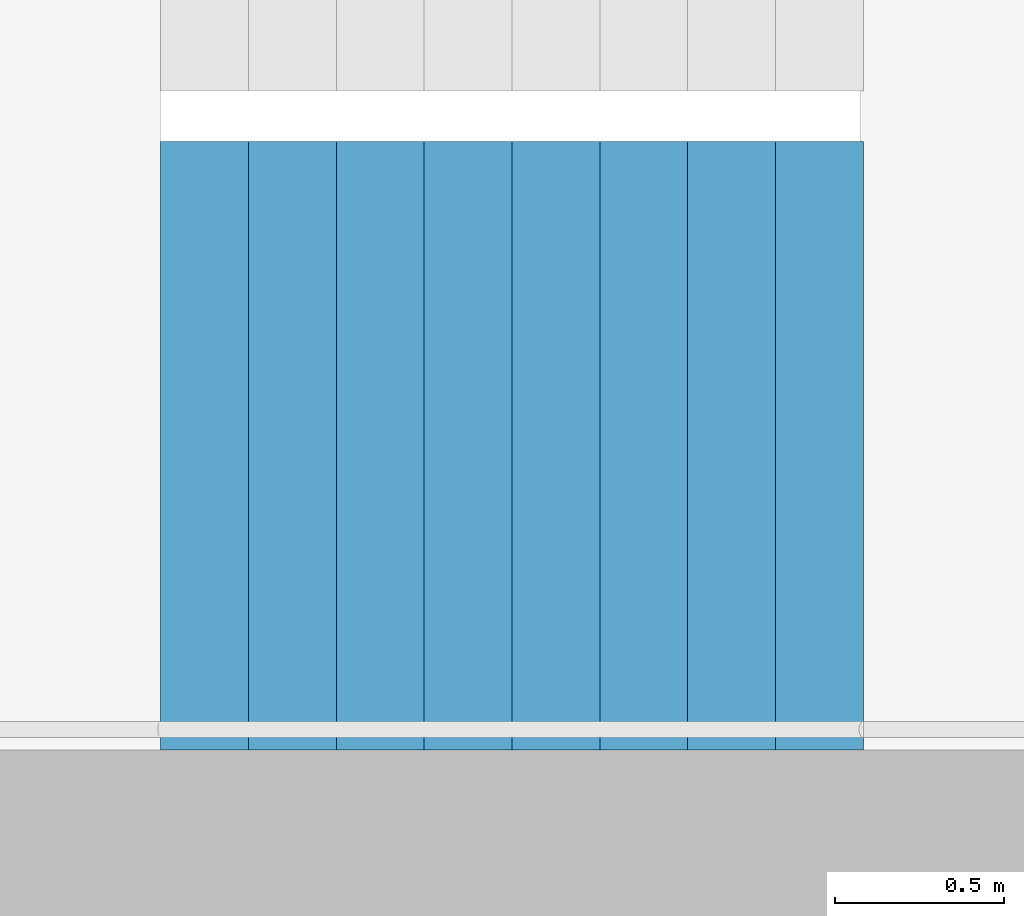
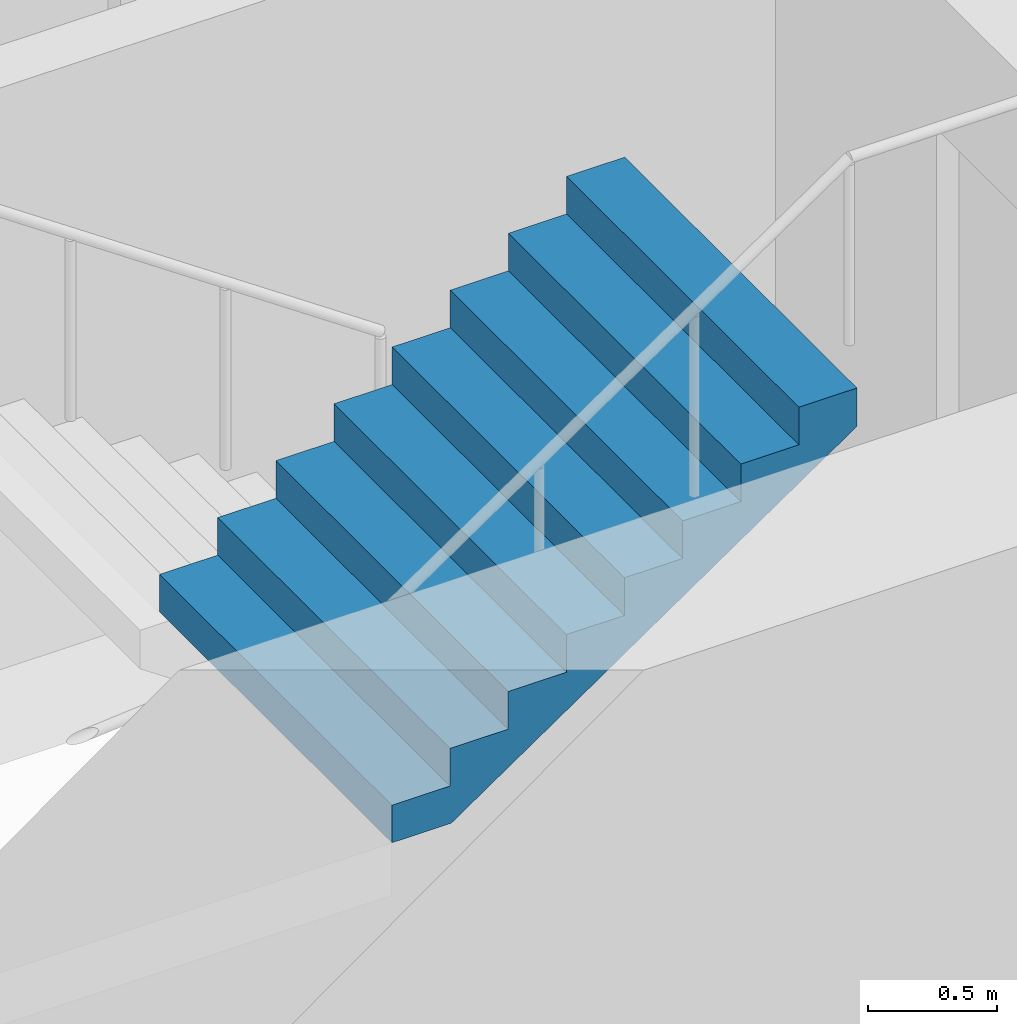
# One storey, part 18 of 26: 1 stair flight, 1 element without a shape of its own.
"""IFC4 building model written with IfcOpenShell, lengths in metres."""

from ifc_helpers import new_model, si_unit, direction, frame, origin, place, context, subcontext, project, spatial, triangles, material, type_object, element, aggregate, save


model = new_model("IFC4")

# Units and contexts
model_context = context("Model", 3, precision=1e-05, world=origin(), true_north=direction((0.0, 1.0)))
body_context = subcontext(model_context, "Body", "Model", "MODEL_VIEW")
ifc_project = project(units=[si_unit("LENGTHUNIT", "METRE"), si_unit("AREAUNIT", "SQUARE_METRE"), si_unit("VOLUMEUNIT", "CUBIC_METRE"), si_unit("PLANEANGLEUNIT", "RADIAN"), si_unit("MASSUNIT", "GRAM", prefix="KILO")], contexts=[model_context])

# Site, building, storey
site_placement = place(None, origin())
site = spatial("IfcSite", under=ifc_project, at=site_placement, CompositionType="ELEMENT")
building_placement = place(site_placement, origin())
building = spatial("IfcBuilding", under=site, at=building_placement, Name="Hakoniwa Tower and Hamabe Station Hall", CompositionType="ELEMENT")
storey_placement = place(building_placement, frame((0.0, 0.0, 134.199951171875)))
storey = spatial("IfcBuildingStorey", under=building, at=storey_placement, Name="L37", CompositionType="ELEMENT", Elevation=134.199951171875)

# Stair, stair flight
ifc_material_1 = material(Name="Concrete C40", Category="concrete")
stair_type = type_object("IfcStairType", Name="ESCAPE STAIR 1800", PredefinedType="HALF_TURN_STAIR", material=ifc_material_1)
stair_placement = place(storey_placement, origin())
stair = element("IfcStair", 1, at=stair_placement, inside=storey, type_object=stair_type, Name="Escape stair ST-2 L37", PredefinedType="HALF_TURN_STAIR")
ifc_material_2 = material(Name="Concrete C40", Category="concrete")
stair_flight_type = type_object("IfcStairFlightType", Name="STAIR FLIGHT 1800", PredefinedType="STRAIGHT", material=ifc_material_2)
stair_flight_placement = place(storey_placement, frame((-25.47998046875, -6.60009765625, 1.60009765625), z_axis=(0.0, 0.0, 1.0), x_axis=(1.0, 0.0, 0.0)))
stair_flight = element("IfcStairFlight", 2, at=stair_flight_placement, type_object=stair_flight_type, Name="ST-2 flight 2", NumberOfRisers=9, NumberOfTreads=8, PredefinedType="STRAIGHT", RiserHeight=0.177777778, TreadLength=0.26, context=body_context, shape_type="Tessellation", body=[
    triangles([(0.0, 0.89990234375, 0.0), (0.260009765625, 0.89990234375, 0.0), (0.265625, 0.89990234375, 0.0), (0.52001953125, 0.89990234375, 0.174072265625), (0.780029296875, 0.89990234375, 0.351806640625), (1.0400390625, 0.89990234375, 0.529541015625), (1.300048828125, 0.89990234375, 0.707275390625), (1.56005859375, 0.89990234375, 0.885009765625), (1.820068359375, 0.89990234375, 1.062744140625), (2.080078125, 0.89990234375, 1.24072265625), (2.080078125, 0.89990234375, 1.422119140625), (1.820068359375, 0.89990234375, 1.422119140625), (1.820068359375, 0.89990234375, 1.244384765625), (1.56005859375, 0.89990234375, 1.244384765625), (1.56005859375, 0.89990234375, 1.066650390625), (1.300048828125, 0.89990234375, 1.066650390625), (1.300048828125, 0.89990234375, 0.888916015625), (1.0400390625, 0.89990234375, 0.888916015625), (1.0400390625, 0.89990234375, 0.711181640625), (0.780029296875, 0.89990234375, 0.711181640625), (0.780029296875, 0.89990234375, 0.533447265625), (0.52001953125, 0.89990234375, 0.533447265625), (0.52001953125, 0.89990234375, 0.35546875), (0.265625, 0.89990234375, 0.35546875), (0.260009765625, 0.89990234375, 0.35546875), (0.260009765625, 0.89990234375, 0.177734375), (0.0, 0.89990234375, 0.177734375), (0.0, 0.06005859375, 0.0), (0.260009765625, 0.06005859375, 0.0), (0.265625, 0.06005859375, 0.0), (0.52001953125, 0.06005859375, 0.174072265625), (0.780029296875, 0.06005859375, 0.351806640625), (1.0400390625, 0.06005859375, 0.529541015625), (1.300048828125, 0.06005859375, 0.707275390625), (1.56005859375, 0.06005859375, 0.885009765625), (1.820068359375, 0.06005859375, 1.062744140625), (2.080078125, 0.06005859375, 1.24072265625), (2.080078125, 0.06005859375, 1.422119140625), (1.820068359375, 0.06005859375, 1.422119140625), (1.820068359375, 0.06005859375, 1.244384765625), (1.56005859375, 0.06005859375, 1.244384765625), (1.56005859375, 0.06005859375, 1.066650390625), (1.300048828125, 0.06005859375, 1.066650390625), (1.300048828125, 0.06005859375, 0.888916015625), (1.0400390625, 0.06005859375, 0.888916015625), (1.0400390625, 0.06005859375, 0.711181640625), (0.780029296875, 0.06005859375, 0.711181640625), (0.780029296875, 0.06005859375, 0.533447265625), (0.52001953125, 0.06005859375, 0.533447265625), (0.52001953125, 0.06005859375, 0.35546875), (0.265625, 0.06005859375, 0.35546875), (0.260009765625, 0.06005859375, 0.35546875), (0.260009765625, 0.06005859375, 0.177734375), (0.0, 0.06005859375, 0.177734375), (0.0, 0.04296875, 0.0), (0.260009765625, 0.04296875, 0.0), (0.265625, 0.04296875, 0.0), (0.52001953125, 0.04296875, 0.174072265625), (0.780029296875, 0.04296875, 0.351806640625), (1.0400390625, 0.04296875, 0.529541015625), (1.300048828125, 0.04296875, 0.707275390625), (1.56005859375, 0.04296875, 0.885009765625), (1.820068359375, 0.04296875, 1.062744140625), (2.080078125, 0.04296875, 1.24072265625), (2.080078125, 0.04296875, 1.422119140625), (1.820068359375, 0.04296875, 1.422119140625), (1.820068359375, 0.04296875, 1.244384765625), (1.56005859375, 0.04296875, 1.244384765625), (1.56005859375, 0.04296875, 1.066650390625), (1.300048828125, 0.04296875, 1.066650390625), (1.300048828125, 0.04296875, 0.888916015625), (1.0400390625, 0.04296875, 0.888916015625), (1.0400390625, 0.04296875, 0.711181640625), (0.780029296875, 0.04296875, 0.711181640625), (0.780029296875, 0.04296875, 0.533447265625), (0.52001953125, 0.04296875, 0.533447265625), (0.52001953125, 0.04296875, 0.35546875), (0.265625, 0.04296875, 0.35546875), (0.260009765625, 0.04296875, 0.35546875), (0.260009765625, 0.04296875, 0.177734375), (0.0, 0.04296875, 0.177734375), (0.0, 0.025634765625, 0.0), (0.260009765625, 0.025634765625, 0.0), (0.265625, 0.025634765625, 0.0), (0.52001953125, 0.025634765625, 0.174072265625), (0.780029296875, 0.025634765625, 0.351806640625), (1.0400390625, 0.025634765625, 0.529541015625), (1.300048828125, 0.025634765625, 0.707275390625), (1.56005859375, 0.025634765625, 0.885009765625), (1.820068359375, 0.025634765625, 1.062744140625), (2.080078125, 0.025634765625, 1.24072265625), (2.080078125, 0.025634765625, 1.422119140625), (1.820068359375, 0.025634765625, 1.422119140625), (1.820068359375, 0.025634765625, 1.244384765625), (1.56005859375, 0.025634765625, 1.244384765625), (1.56005859375, 0.025634765625, 1.066650390625), (1.300048828125, 0.025634765625, 1.066650390625), (1.300048828125, 0.025634765625, 0.888916015625), (1.0400390625, 0.025634765625, 0.888916015625), (1.0400390625, 0.025634765625, 0.711181640625), (0.780029296875, 0.025634765625, 0.711181640625), (0.780029296875, 0.025634765625, 0.533447265625), (0.52001953125, 0.025634765625, 0.533447265625), (0.52001953125, 0.025634765625, 0.35546875), (0.265625, 0.025634765625, 0.35546875), (0.260009765625, 0.025634765625, 0.35546875), (0.260009765625, 0.025634765625, 0.177734375), (0.0, 0.025634765625, 0.177734375), (0.0, 0.008544921875, 0.0), (0.260009765625, 0.008544921875, 0.0), (0.265625, 0.008544921875, 0.0), (0.52001953125, 0.008544921875, 0.174072265625), (0.780029296875, 0.008544921875, 0.351806640625), (1.0400390625, 0.008544921875, 0.529541015625), (1.300048828125, 0.008544921875, 0.707275390625), (1.56005859375, 0.008544921875, 0.885009765625), (1.820068359375, 0.008544921875, 1.062744140625), (2.080078125, 0.008544921875, 1.24072265625), (2.080078125, 0.008544921875, 1.422119140625), (1.820068359375, 0.008544921875, 1.422119140625), (1.820068359375, 0.008544921875, 1.244384765625), (1.56005859375, 0.008544921875, 1.244384765625), (1.56005859375, 0.008544921875, 1.066650390625), (1.300048828125, 0.008544921875, 1.066650390625), (1.300048828125, 0.008544921875, 0.888916015625), (1.0400390625, 0.008544921875, 0.888916015625), (1.0400390625, 0.008544921875, 0.711181640625), (0.780029296875, 0.008544921875, 0.711181640625), (0.780029296875, 0.008544921875, 0.533447265625), (0.52001953125, 0.008544921875, 0.533447265625), (0.52001953125, 0.008544921875, 0.35546875), (0.265625, 0.008544921875, 0.35546875), (0.260009765625, 0.008544921875, 0.35546875), (0.260009765625, 0.008544921875, 0.177734375), (0.0, 0.008544921875, 0.177734375), (0.0, -0.008544921875, 0.0), (0.260009765625, -0.008544921875, 0.0), (0.265625, -0.008544921875, 0.0), (0.52001953125, -0.008544921875, 0.174072265625), (0.780029296875, -0.008544921875, 0.351806640625), (1.0400390625, -0.008544921875, 0.529541015625), (1.300048828125, -0.008544921875, 0.707275390625), (1.56005859375, -0.008544921875, 0.885009765625), (1.820068359375, -0.008544921875, 1.062744140625), (2.080078125, -0.008544921875, 1.24072265625), (2.080078125, -0.008544921875, 1.422119140625), (1.820068359375, -0.008544921875, 1.422119140625), (1.820068359375, -0.008544921875, 1.244384765625), (1.56005859375, -0.008544921875, 1.244384765625), (1.56005859375, -0.008544921875, 1.066650390625), (1.300048828125, -0.008544921875, 1.066650390625), (1.300048828125, -0.008544921875, 0.888916015625), (1.0400390625, -0.008544921875, 0.888916015625), (1.0400390625, -0.008544921875, 0.711181640625), (0.780029296875, -0.008544921875, 0.711181640625), (0.780029296875, -0.008544921875, 0.533447265625), (0.52001953125, -0.008544921875, 0.533447265625), (0.52001953125, -0.008544921875, 0.35546875), (0.265625, -0.008544921875, 0.35546875), (0.260009765625, -0.008544921875, 0.35546875), (0.260009765625, -0.008544921875, 0.177734375), (0.0, -0.008544921875, 0.177734375), (0.0, -0.025634765625, 0.0), (0.260009765625, -0.025634765625, 0.0), (0.265625, -0.025634765625, 0.0), (0.52001953125, -0.025634765625, 0.174072265625), (0.780029296875, -0.025634765625, 0.351806640625), (1.0400390625, -0.025634765625, 0.529541015625), (1.300048828125, -0.025634765625, 0.707275390625), (1.56005859375, -0.025634765625, 0.885009765625), (1.820068359375, -0.025634765625, 1.062744140625), (2.080078125, -0.025634765625, 1.24072265625), (2.080078125, -0.025634765625, 1.422119140625), (1.820068359375, -0.025634765625, 1.422119140625), (1.820068359375, -0.025634765625, 1.244384765625), (1.56005859375, -0.025634765625, 1.244384765625), (1.56005859375, -0.025634765625, 1.066650390625), (1.300048828125, -0.025634765625, 1.066650390625), (1.300048828125, -0.025634765625, 0.888916015625), (1.0400390625, -0.025634765625, 0.888916015625), (1.0400390625, -0.025634765625, 0.711181640625), (0.780029296875, -0.025634765625, 0.711181640625), (0.780029296875, -0.025634765625, 0.533447265625), (0.52001953125, -0.025634765625, 0.533447265625), (0.52001953125, -0.025634765625, 0.35546875), (0.265625, -0.025634765625, 0.35546875), (0.260009765625, -0.025634765625, 0.35546875), (0.260009765625, -0.025634765625, 0.177734375), (0.0, -0.025634765625, 0.177734375), (0.0, -0.04296875, 0.0), (0.260009765625, -0.04296875, 0.0), (0.265625, -0.04296875, 0.0), (0.52001953125, -0.04296875, 0.174072265625), (0.780029296875, -0.04296875, 0.351806640625), (1.0400390625, -0.04296875, 0.529541015625), (1.300048828125, -0.04296875, 0.707275390625), (1.56005859375, -0.04296875, 0.885009765625), (1.820068359375, -0.04296875, 1.062744140625), (2.080078125, -0.04296875, 1.24072265625), (2.080078125, -0.04296875, 1.422119140625), (1.820068359375, -0.04296875, 1.422119140625), (1.820068359375, -0.04296875, 1.244384765625), (1.56005859375, -0.04296875, 1.244384765625), (1.56005859375, -0.04296875, 1.066650390625), (1.300048828125, -0.04296875, 1.066650390625), (1.300048828125, -0.04296875, 0.888916015625), (1.0400390625, -0.04296875, 0.888916015625), (1.0400390625, -0.04296875, 0.711181640625), (0.780029296875, -0.04296875, 0.711181640625), (0.780029296875, -0.04296875, 0.533447265625), (0.52001953125, -0.04296875, 0.533447265625), (0.52001953125, -0.04296875, 0.35546875), (0.265625, -0.04296875, 0.35546875), (0.260009765625, -0.04296875, 0.35546875), (0.260009765625, -0.04296875, 0.177734375), (0.0, -0.04296875, 0.177734375), (0.0, -0.06005859375, 0.0), (0.260009765625, -0.06005859375, 0.0), (0.265625, -0.06005859375, 0.0), (0.52001953125, -0.06005859375, 0.174072265625), (0.780029296875, -0.06005859375, 0.351806640625), (1.0400390625, -0.06005859375, 0.529541015625), (1.300048828125, -0.06005859375, 0.707275390625), (1.56005859375, -0.06005859375, 0.885009765625), (1.820068359375, -0.06005859375, 1.062744140625), (2.080078125, -0.06005859375, 1.24072265625), (2.080078125, -0.06005859375, 1.422119140625), (1.820068359375, -0.06005859375, 1.422119140625), (1.820068359375, -0.06005859375, 1.244384765625), (1.56005859375, -0.06005859375, 1.244384765625), (1.56005859375, -0.06005859375, 1.066650390625), (1.300048828125, -0.06005859375, 1.066650390625), (1.300048828125, -0.06005859375, 0.888916015625), (1.0400390625, -0.06005859375, 0.888916015625), (1.0400390625, -0.06005859375, 0.711181640625), (0.780029296875, -0.06005859375, 0.711181640625), (0.780029296875, -0.06005859375, 0.533447265625), (0.52001953125, -0.06005859375, 0.533447265625), (0.52001953125, -0.06005859375, 0.35546875), (0.265625, -0.06005859375, 0.35546875), (0.260009765625, -0.06005859375, 0.35546875), (0.260009765625, -0.06005859375, 0.177734375), (0.0, -0.06005859375, 0.177734375), (0.0, -0.89990234375, 0.0), (0.260009765625, -0.89990234375, 0.0), (0.265625, -0.89990234375, 0.0), (0.52001953125, -0.89990234375, 0.174072265625), (0.780029296875, -0.89990234375, 0.351806640625), (1.0400390625, -0.89990234375, 0.529541015625), (1.300048828125, -0.89990234375, 0.707275390625), (1.56005859375, -0.89990234375, 0.885009765625), (1.820068359375, -0.89990234375, 1.062744140625), (2.080078125, -0.89990234375, 1.24072265625), (2.080078125, -0.89990234375, 1.422119140625), (1.820068359375, -0.89990234375, 1.422119140625), (1.820068359375, -0.89990234375, 1.244384765625), (1.56005859375, -0.89990234375, 1.244384765625), (1.56005859375, -0.89990234375, 1.066650390625), (1.300048828125, -0.89990234375, 1.066650390625), (1.300048828125, -0.89990234375, 0.888916015625), (1.0400390625, -0.89990234375, 0.888916015625), (1.0400390625, -0.89990234375, 0.711181640625), (0.780029296875, -0.89990234375, 0.711181640625), (0.780029296875, -0.89990234375, 0.533447265625), (0.52001953125, -0.89990234375, 0.533447265625), (0.52001953125, -0.89990234375, 0.35546875), (0.265625, -0.89990234375, 0.35546875), (0.260009765625, -0.89990234375, 0.35546875), (0.260009765625, -0.89990234375, 0.177734375), (0.0, -0.89990234375, 0.177734375)], [[2, 27, 26], [245, 269, 270], [2, 1, 27], [245, 270, 244], [3, 25, 24], [246, 267, 268], [3, 26, 25], [246, 268, 269], [3, 2, 26], [246, 269, 245], [4, 24, 23], [247, 266, 267], [4, 3, 24], [247, 267, 246], [5, 22, 21], [248, 264, 265], [5, 23, 22], [248, 265, 266], [5, 4, 23], [248, 266, 247], [6, 20, 19], [249, 262, 263], [6, 21, 20], [249, 263, 264], [6, 5, 21], [249, 264, 248], [7, 18, 17], [250, 260, 261], [7, 19, 18], [250, 261, 262], [7, 6, 19], [250, 262, 249], [8, 16, 15], [251, 258, 259], [8, 17, 16], [251, 259, 260], [8, 7, 17], [251, 260, 250], [9, 14, 13], [252, 256, 257], [9, 15, 14], [252, 257, 258], [9, 8, 15], [252, 258, 251], [10, 12, 11], [253, 254, 255], [10, 13, 12], [253, 255, 256], [10, 9, 13], [253, 256, 252], [1, 2, 29], [1, 29, 28], [28, 29, 56], [28, 56, 55], [55, 56, 83], [55, 83, 82], [82, 83, 110], [82, 110, 109], [109, 110, 137], [109, 137, 136], [136, 137, 164], [136, 164, 163], [163, 164, 191], [163, 191, 190], [190, 191, 218], [190, 218, 217], [217, 218, 245], [217, 245, 244], [2, 3, 30], [2, 30, 29], [29, 30, 57], [29, 57, 56], [56, 57, 84], [56, 84, 83], [83, 84, 111], [83, 111, 110], [110, 111, 138], [110, 138, 137], [137, 138, 165], [137, 165, 164], [164, 165, 192], [164, 192, 191], [191, 192, 219], [191, 219, 218], [218, 219, 246], [218, 246, 245], [3, 4, 31], [3, 31, 30], [30, 31, 58], [30, 58, 57], [57, 58, 85], [57, 85, 84], [84, 85, 112], [84, 112, 111], [111, 112, 139], [111, 139, 138], [138, 139, 166], [138, 166, 165], [165, 166, 193], [165, 193, 192], [192, 193, 220], [192, 220, 219], [219, 220, 247], [219, 247, 246], [4, 5, 32], [4, 32, 31], [31, 32, 59], [31, 59, 58], [58, 59, 86], [58, 86, 85], [85, 86, 113], [85, 113, 112], [112, 113, 140], [112, 140, 139], [139, 140, 167], [139, 167, 166], [166, 167, 194], [166, 194, 193], [193, 194, 221], [193, 221, 220], [220, 221, 248], [220, 248, 247], [5, 6, 33], [5, 33, 32], [32, 33, 60], [32, 60, 59], [59, 60, 87], [59, 87, 86], [86, 87, 114], [86, 114, 113], [113, 114, 141], [113, 141, 140], [140, 141, 168], [140, 168, 167], [167, 168, 195], [167, 195, 194], [194, 195, 222], [194, 222, 221], [221, 222, 249], [221, 249, 248], [6, 7, 34], [6, 34, 33], [33, 34, 61], [33, 61, 60], [60, 61, 88], [60, 88, 87], [87, 88, 115], [87, 115, 114], [114, 115, 142], [114, 142, 141], [141, 142, 169], [141, 169, 168], [168, 169, 196], [168, 196, 195], [195, 196, 223], [195, 223, 222], [222, 223, 250], [222, 250, 249], [7, 8, 35], [7, 35, 34], [34, 35, 62], [34, 62, 61], [61, 62, 89], [61, 89, 88], [88, 89, 116], [88, 116, 115], [115, 116, 143], [115, 143, 142], [142, 143, 170], [142, 170, 169], [169, 170, 197], [169, 197, 196], [196, 197, 224], [196, 224, 223], [223, 224, 251], [223, 251, 250], [8, 9, 36], [8, 36, 35], [35, 36, 63], [35, 63, 62], [62, 63, 90], [62, 90, 89], [89, 90, 117], [89, 117, 116], [116, 117, 144], [116, 144, 143], [143, 144, 171], [143, 171, 170], [170, 171, 198], [170, 198, 197], [197, 198, 225], [197, 225, 224], [224, 225, 252], [224, 252, 251], [9, 10, 37], [9, 37, 36], [36, 37, 64], [36, 64, 63], [63, 64, 91], [63, 91, 90], [90, 91, 118], [90, 118, 117], [117, 118, 145], [117, 145, 144], [144, 145, 172], [144, 172, 171], [171, 172, 199], [171, 199, 198], [198, 199, 226], [198, 226, 225], [225, 226, 253], [225, 253, 252], [10, 11, 38], [10, 38, 37], [37, 38, 65], [37, 65, 64], [64, 65, 92], [64, 92, 91], [91, 92, 119], [91, 119, 118], [118, 119, 146], [118, 146, 145], [145, 146, 173], [145, 173, 172], [172, 173, 200], [172, 200, 199], [199, 200, 227], [199, 227, 226], [226, 227, 254], [226, 254, 253], [11, 12, 39], [11, 39, 38], [38, 39, 66], [38, 66, 65], [65, 66, 93], [65, 93, 92], [92, 93, 120], [92, 120, 119], [119, 120, 147], [119, 147, 146], [146, 147, 174], [146, 174, 173], [173, 174, 201], [173, 201, 200], [200, 201, 228], [200, 228, 227], [227, 228, 255], [227, 255, 254], [12, 13, 40], [12, 40, 39], [39, 40, 67], [39, 67, 66], [66, 67, 94], [66, 94, 93], [93, 94, 121], [93, 121, 120], [120, 121, 148], [120, 148, 147], [147, 148, 175], [147, 175, 174], [174, 175, 202], [174, 202, 201], [201, 202, 229], [201, 229, 228], [228, 229, 256], [228, 256, 255], [13, 14, 41], [13, 41, 40], [40, 41, 68], [40, 68, 67], [67, 68, 95], [67, 95, 94], [94, 95, 122], [94, 122, 121], [121, 122, 149], [121, 149, 148], [148, 149, 176], [148, 176, 175], [175, 176, 203], [175, 203, 202], [202, 203, 230], [202, 230, 229], [229, 230, 257], [229, 257, 256], [14, 15, 42], [14, 42, 41], [41, 42, 69], [41, 69, 68], [68, 69, 96], [68, 96, 95], [95, 96, 123], [95, 123, 122], [122, 123, 150], [122, 150, 149], [149, 150, 177], [149, 177, 176], [176, 177, 204], [176, 204, 203], [203, 204, 231], [203, 231, 230], [230, 231, 258], [230, 258, 257], [15, 16, 43], [15, 43, 42], [42, 43, 70], [42, 70, 69], [69, 70, 97], [69, 97, 96], [96, 97, 124], [96, 124, 123], [123, 124, 151], [123, 151, 150], [150, 151, 178], [150, 178, 177], [177, 178, 205], [177, 205, 204], [204, 205, 232], [204, 232, 231], [231, 232, 259], [231, 259, 258], [16, 17, 44], [16, 44, 43], [43, 44, 71], [43, 71, 70], [70, 71, 98], [70, 98, 97], [97, 98, 125], [97, 125, 124], [124, 125, 152], [124, 152, 151], [151, 152, 179], [151, 179, 178], [178, 179, 206], [178, 206, 205], [205, 206, 233], [205, 233, 232], [232, 233, 260], [232, 260, 259], [17, 18, 45], [17, 45, 44], [44, 45, 72], [44, 72, 71], [71, 72, 99], [71, 99, 98], [98, 99, 126], [98, 126, 125], [125, 126, 153], [125, 153, 152], [152, 153, 180], [152, 180, 179], [179, 180, 207], [179, 207, 206], [206, 207, 234], [206, 234, 233], [233, 234, 261], [233, 261, 260], [18, 19, 46], [18, 46, 45], [45, 46, 73], [45, 73, 72], [72, 73, 100], [72, 100, 99], [99, 100, 127], [99, 127, 126], [126, 127, 154], [126, 154, 153], [153, 154, 181], [153, 181, 180], [180, 181, 208], [180, 208, 207], [207, 208, 235], [207, 235, 234], [234, 235, 262], [234, 262, 261], [19, 20, 47], [19, 47, 46], [46, 47, 74], [46, 74, 73], [73, 74, 101], [73, 101, 100], [100, 101, 128], [100, 128, 127], [127, 128, 155], [127, 155, 154], [154, 155, 182], [154, 182, 181], [181, 182, 209], [181, 209, 208], [208, 209, 236], [208, 236, 235], [235, 236, 263], [235, 263, 262], [20, 21, 48], [20, 48, 47], [47, 48, 75], [47, 75, 74], [74, 75, 102], [74, 102, 101], [101, 102, 129], [101, 129, 128], [128, 129, 156], [128, 156, 155], [155, 156, 183], [155, 183, 182], [182, 183, 210], [182, 210, 209], [209, 210, 237], [209, 237, 236], [236, 237, 264], [236, 264, 263], [21, 22, 49], [21, 49, 48], [48, 49, 76], [48, 76, 75], [75, 76, 103], [75, 103, 102], [102, 103, 130], [102, 130, 129], [129, 130, 157], [129, 157, 156], [156, 157, 184], [156, 184, 183], [183, 184, 211], [183, 211, 210], [210, 211, 238], [210, 238, 237], [237, 238, 265], [237, 265, 264], [22, 23, 50], [22, 50, 49], [49, 50, 77], [49, 77, 76], [76, 77, 104], [76, 104, 103], [103, 104, 131], [103, 131, 130], [130, 131, 158], [130, 158, 157], [157, 158, 185], [157, 185, 184], [184, 185, 212], [184, 212, 211], [211, 212, 239], [211, 239, 238], [238, 239, 266], [238, 266, 265], [23, 24, 51], [23, 51, 50], [50, 51, 78], [50, 78, 77], [77, 78, 105], [77, 105, 104], [104, 105, 132], [104, 132, 131], [131, 132, 159], [131, 159, 158], [158, 159, 186], [158, 186, 185], [185, 186, 213], [185, 213, 212], [212, 213, 240], [212, 240, 239], [239, 240, 267], [239, 267, 266], [24, 25, 52], [24, 52, 51], [51, 52, 79], [51, 79, 78], [78, 79, 106], [78, 106, 105], [105, 106, 133], [105, 133, 132], [132, 133, 160], [132, 160, 159], [159, 160, 187], [159, 187, 186], [186, 187, 214], [186, 214, 213], [213, 214, 241], [213, 241, 240], [240, 241, 268], [240, 268, 267], [25, 26, 53], [25, 53, 52], [52, 53, 80], [52, 80, 79], [79, 80, 107], [79, 107, 106], [106, 107, 134], [106, 134, 133], [133, 134, 161], [133, 161, 160], [160, 161, 188], [160, 188, 187], [187, 188, 215], [187, 215, 214], [214, 215, 242], [214, 242, 241], [241, 242, 269], [241, 269, 268], [26, 27, 54], [26, 54, 53], [53, 54, 81], [53, 81, 80], [80, 81, 108], [80, 108, 107], [107, 108, 135], [107, 135, 134], [134, 135, 162], [134, 162, 161], [161, 162, 189], [161, 189, 188], [188, 189, 216], [188, 216, 215], [215, 216, 243], [215, 243, 242], [242, 243, 270], [242, 270, 269], [27, 1, 28], [27, 28, 54], [54, 28, 55], [54, 55, 81], [81, 55, 82], [81, 82, 108], [108, 82, 109], [108, 109, 135], [135, 109, 136], [135, 136, 162], [162, 136, 163], [162, 163, 189], [189, 163, 190], [189, 190, 216], [216, 190, 217], [216, 217, 243], [243, 217, 244], [243, 244, 270]], closed=True),
])
aggregate(stair, [stair_flight])

save(model, "model.ifc")
